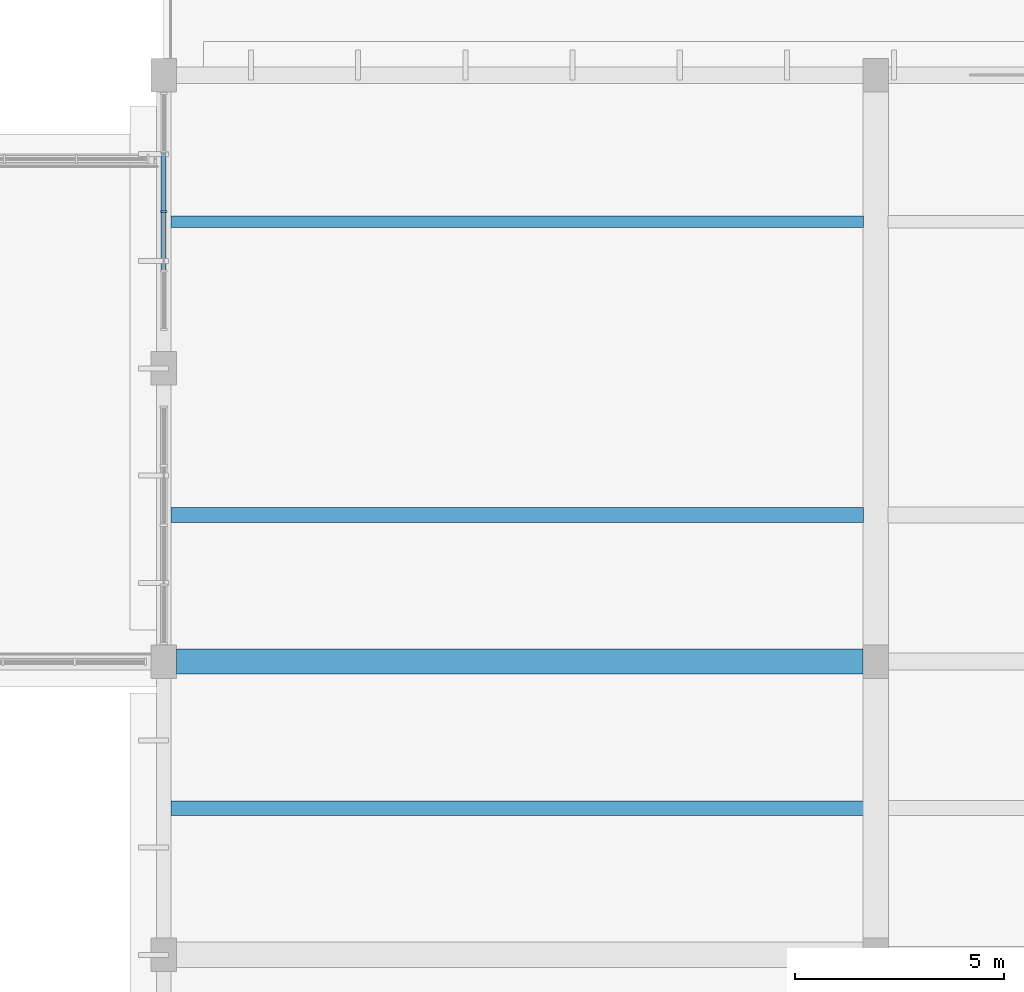
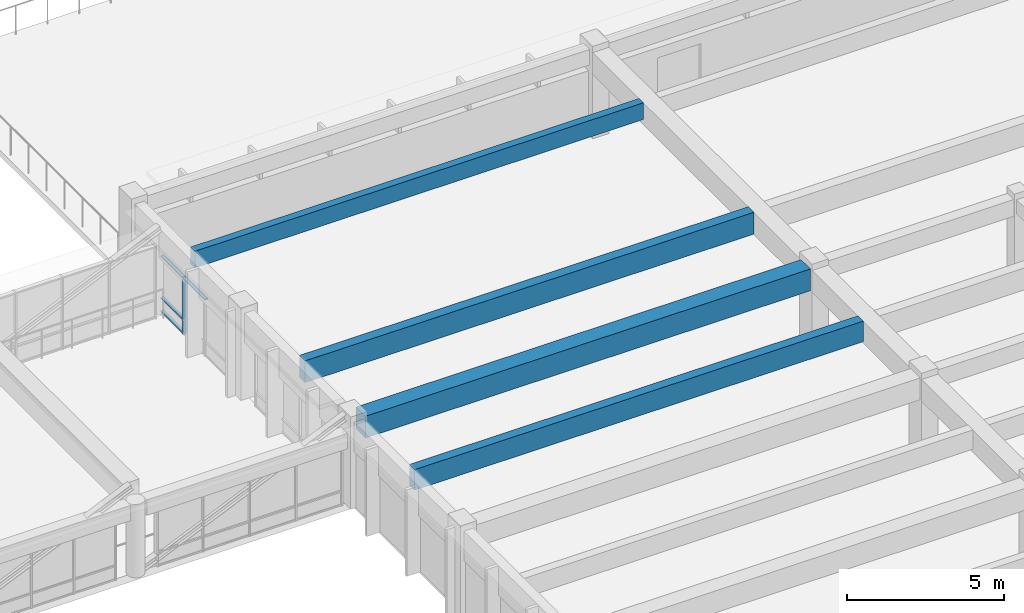
# One storey, part 25 of 77: 5 members, 4 beams, 1 element without a shape of its own.
"""IFC4 building model written with IfcOpenShell, lengths in metres."""

from ifc_helpers import new_model, si_unit, direction, frame, origin, origin_2d, place, context, subcontext, project, spatial, rectangle, extrude, material, material_profile, profile_set, type_object, element, aggregate, save


model = new_model("IFC4")

# Units and contexts
model_context = context("Model", 3, precision=1e-05, world=origin(), true_north=direction((0.0, 1.0)))
body_context = subcontext(model_context, "Body", "Model", "MODEL_VIEW")
ifc_project = project(units=[si_unit("LENGTHUNIT", "METRE"), si_unit("AREAUNIT", "SQUARE_METRE"), si_unit("VOLUMEUNIT", "CUBIC_METRE"), si_unit("PLANEANGLEUNIT", "RADIAN"), si_unit("MASSUNIT", "GRAM", prefix="KILO")], contexts=[model_context])

# Site, building, storey
site_placement = place(None, origin())
site = spatial("IfcSite", under=ifc_project, at=site_placement, CompositionType="ELEMENT")
building_placement = place(site_placement, origin())
building = spatial("IfcBuilding", under=site, at=building_placement, Name="Larkveld Mobility Hub", CompositionType="ELEMENT")
storey_placement = place(building_placement, frame((0.0, 0.0, 12.0)))
storey = spatial("IfcBuildingStorey", under=building, at=storey_placement, Name="L03", CompositionType="ELEMENT", Elevation=12.0)

# Beams
ifc_material_1 = material(Name="Precast concrete C50/60", Category="concrete")
ifc_material_profile_1 = material_profile(ifc_material_1, rectangle(XDim=0.280029296875, YDim=0.64990234375, at=origin_2d()), Name="PC DT 280x650")
ifc_profile_set_1 = profile_set([ifc_material_profile_1], Name="Precast concrete C50/60")
beam_type_1 = type_object("IfcBeamType", Name="BM-DT2865", PredefinedType="T_BEAM", material=ifc_profile_set_1)
beam_1_placement = place(storey_placement, frame((112.169921875, 94.5, 3.044921875), z_axis=(1.0, 0.0, 0.0), x_axis=(0.0, 1.0, 0.0)))
element("IfcBeam", 1, at=beam_1_placement, inside=storey, type_object=beam_type_1, Name="Precast Double-Tee Stem L03-1127", PredefinedType="T_BEAM", context=body_context, shape_type="SweptSolid", body=[
    extrude(rectangle(XDim=0.280029296875, YDim=0.64990234375, at=origin_2d()), origin(), (0.0, 0.0, 1.0), 16.53515625),
])
ifc_material_profile_2 = material_profile(ifc_material_1, rectangle(XDim=0.340087890625, YDim=0.800048828125, at=origin_2d()), Name="PC DT 340x800")
ifc_profile_set_2 = profile_set([ifc_material_profile_2], Name="Precast concrete C50/60")
beam_type_2 = type_object("IfcBeamType", Name="BM-DT3480", PredefinedType="T_BEAM", material=ifc_profile_set_2)
beam_2_placement = place(storey_placement, frame((112.169921875, 80.5, 2.969970703125), z_axis=(1.0, 0.0, 0.0), x_axis=(0.0, 1.0, 0.0)))
element("IfcBeam", 2, at=beam_2_placement, inside=storey, type_object=beam_type_2, Name="Precast Double-Tee Stem L03-1121", PredefinedType="T_BEAM", context=body_context, shape_type="SweptSolid", body=[
    extrude(rectangle(XDim=0.340087890625, YDim=0.800048828125, at=origin_2d()), origin(), (0.0, 0.0, 1.0), 16.53515625),
])
ifc_material_profile_3 = material_profile(ifc_material_1, rectangle(XDim=0.360107421875, YDim=0.85009765625, at=origin_2d()), Name="PC DT 360x850")
ifc_profile_set_3 = profile_set([ifc_material_profile_3], Name="Precast concrete C50/60")
beam_type_3 = type_object("IfcBeamType", Name="BM-DT3685", PredefinedType="T_BEAM", material=ifc_profile_set_3)
beam_3_placement = place(storey_placement, frame((112.169921875, 87.5, 2.945068359375), z_axis=(1.0, 0.0, 0.0), x_axis=(0.0, 1.0, 0.0)))
element("IfcBeam", 3, at=beam_3_placement, inside=storey, type_object=beam_type_3, Name="Precast Double-Tee Stem L03-1124", PredefinedType="T_BEAM", context=body_context, shape_type="SweptSolid", body=[
    extrude(rectangle(XDim=0.360107421875, YDim=0.85009765625, at=origin_2d()), origin(), (0.0, 0.0, 1.0), 16.53515625),
])
ifc_material_profile_4 = material_profile(ifc_material_1, rectangle(XDim=0.60009765625, YDim=0.85009765625, at=origin_2d()), Name="PC ITB 600x850")
ifc_profile_set_4 = profile_set([ifc_material_profile_4], Name="Precast concrete C50/60")
beam_type_4 = type_object("IfcBeamType", Name="BM-ITB6085", PredefinedType="T_BEAM", material=ifc_profile_set_4)
beam_4_placement = place(storey_placement, frame((112.300048828125, 84.0, 2.93505859375), z_axis=(1.0, 0.0, 0.0), x_axis=(0.0, 1.0, 0.0)))
element("IfcBeam", 4, at=beam_4_placement, inside=storey, type_object=beam_type_4, Name="Primary E-W Girder L03-0736", PredefinedType="T_BEAM", context=body_context, shape_type="SweptSolid", body=[
    extrude(rectangle(XDim=0.60009765625, YDim=0.85009765625, at=origin_2d()), origin(), (0.0, 0.0, 1.0), 16.39990234375),
])

# Curtain wall, members
ifc_material_2 = material(Name="Anodised aluminium 6063-T6", Category="aluminium")
curtain_wall_type = type_object("IfcCurtainWallType", Name="CW-SYS-01", PredefinedType="NOTDEFINED", material=ifc_material_2)
curtain_wall_placement = place(storey_placement, origin())
curtain_wall = element("IfcCurtainWall", 5, at=curtain_wall_placement, inside=storey, type_object=curtain_wall_type, Name="EV Wing West Glazing L03 CW-145", PredefinedType="NOTDEFINED")
ifc_material_profile_5 = material_profile(ifc_material_2, rectangle(XDim=0.050048828125, YDim=0.14990234375, at=origin_2d()), Name="ALU MULL 50x150")
ifc_profile_set_5 = profile_set([ifc_material_profile_5], Name="Anodised aluminium 6063-T6")
member_type_1 = type_object("IfcMemberType", Name="CW-MUL-01", PredefinedType="MULLION", material=ifc_profile_set_5)
member_1_placement = place(storey_placement, frame((112.0, 94.7451171875, -0.001953125), z_axis=(0.0, 0.0, 1.0), x_axis=(0.0, -1.0, 0.0)))
member_1 = element("IfcMember", 6, at=member_1_placement, type_object=member_type_1, Name="CW01 mullion 3", PredefinedType="MULLION", context=body_context, shape_type="SweptSolid", body=[
    extrude(rectangle(XDim=0.050048828125, YDim=0.14990234375, at=origin_2d()), origin(), (0.0, 0.0, 1.0), 2.2119140625),
])
ifc_material_profile_6 = material_profile(ifc_material_2, rectangle(XDim=0.1201171875, YDim=0.050048828125, at=origin_2d()), Name="ALU TRAN 50x120")
ifc_profile_set_6 = profile_set([ifc_material_profile_6], Name="Anodised aluminium 6063-T6")
member_type_2 = type_object("IfcMemberType", Name="CW-TRN-01", PredefinedType="USERDEFINED", material=ifc_profile_set_6)
member_2_placement = place(storey_placement, frame((112.0, 96.153076171875, 0.030029296875), z_axis=(0.0, -1.0, 0.0), x_axis=(1.0, 0.0, 0.0)))
member_2 = element("IfcMember", 7, at=member_2_placement, type_object=member_type_2, Name="CW01 transom 2.1", ObjectType="TRANSOM", PredefinedType="USERDEFINED", context=body_context, shape_type="SweptSolid", body=[
    extrude(rectangle(XDim=0.1201171875, YDim=0.050048828125, at=origin_2d()), origin(), (0.0, 0.0, 1.0), 1.39306640625),
])
member_3_placement = place(storey_placement, frame((112.0, 96.153076171875, 0.552001953125), z_axis=(0.0, -1.0, 0.0), x_axis=(1.0, 0.0, 0.0)))
member_3 = element("IfcMember", 8, at=member_3_placement, type_object=member_type_2, Name="CW01 transom 2.2", ObjectType="TRANSOM", PredefinedType="USERDEFINED", context=body_context, shape_type="SweptSolid", body=[
    extrude(rectangle(XDim=0.1201171875, YDim=0.050048828125, at=origin_2d()), origin(), (0.0, 0.0, 1.0), 1.39306640625),
])
member_4_placement = place(storey_placement, frame((112.0, 96.153076171875, 2.177978515625), z_axis=(0.0, -1.0, 0.0), x_axis=(1.0, 0.0, 0.0)))
member_4 = element("IfcMember", 9, at=member_4_placement, type_object=member_type_2, Name="CW01 transom 2.3", ObjectType="TRANSOM", PredefinedType="USERDEFINED", context=body_context, shape_type="SweptSolid", body=[
    extrude(rectangle(XDim=0.1201171875, YDim=0.050048828125, at=origin_2d()), origin(), (0.0, 0.0, 1.0), 1.39306640625),
])
member_5_placement = place(storey_placement, frame((112.0, 94.72998046875, 2.177978515625), z_axis=(0.0, -1.0, 0.0), x_axis=(1.0, 0.0, 0.0)))
member_5 = element("IfcMember", 10, at=member_5_placement, type_object=member_type_2, Name="CW01 transom 3.3", ObjectType="TRANSOM", PredefinedType="USERDEFINED", context=body_context, shape_type="SweptSolid", body=[
    extrude(rectangle(XDim=0.1201171875, YDim=0.050048828125, at=origin_2d()), origin(), (0.0, 0.0, 1.0), 1.39208984375),
])
aggregate(curtain_wall, [member_1, member_2, member_3, member_4, member_5])

save(model, "model.ifc")
